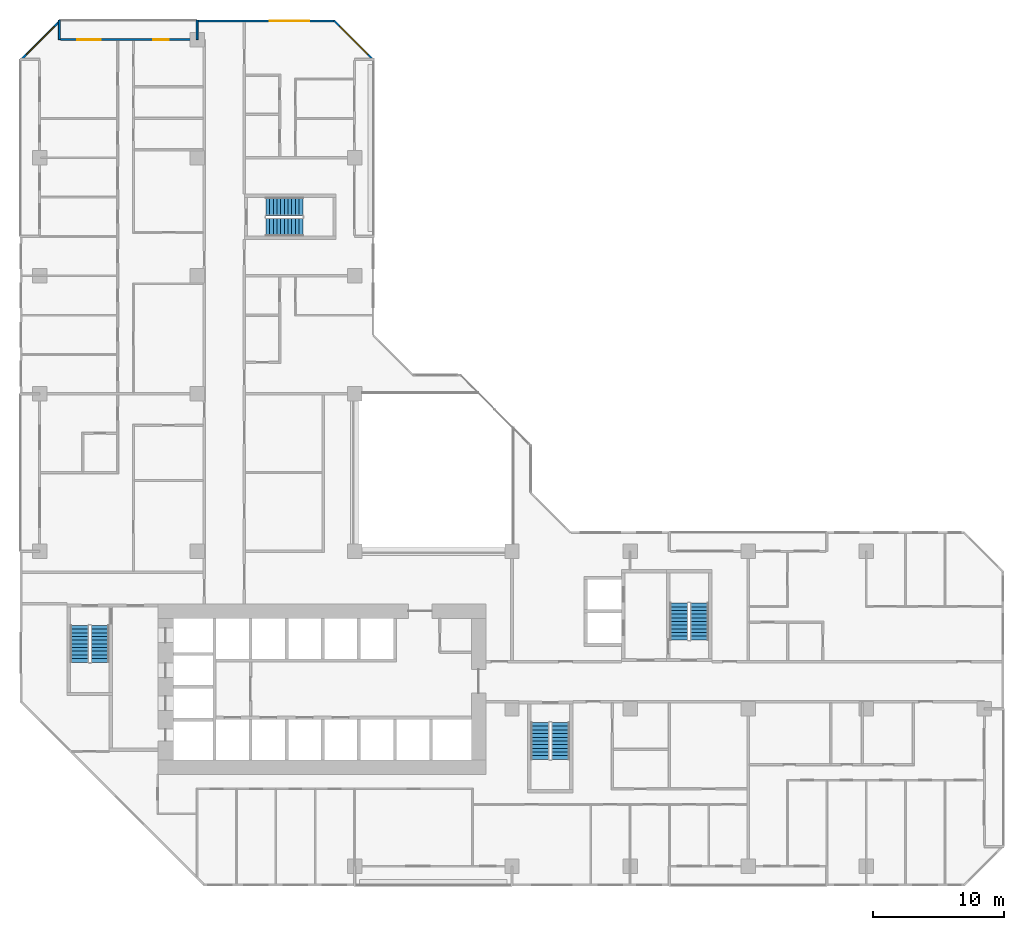
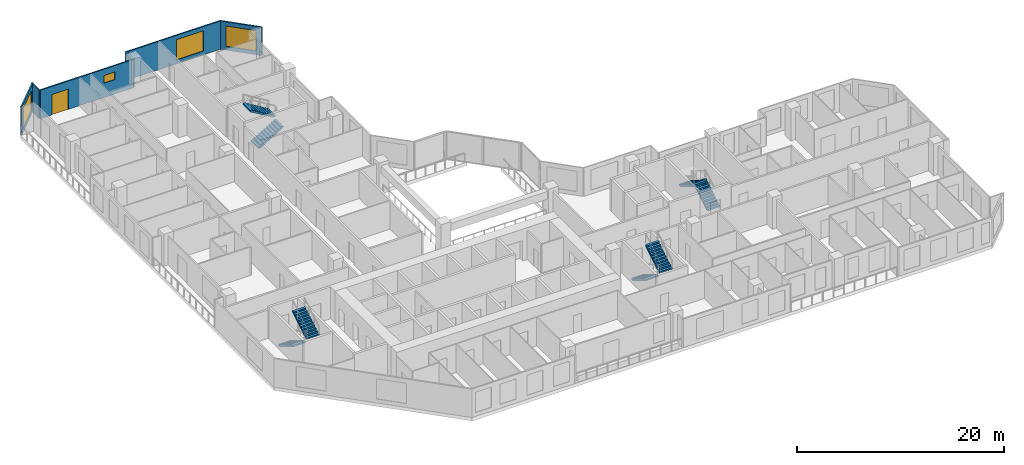
# One storey, part 13 of 15: 8 stair flights, 6 walls, 4 windows, 1 door, 5 openings, 4 elements without a shape of their own.
"""IFC4 building model written with IfcOpenShell, lengths in metres."""

from ifc_helpers import new_model, si_unit, direction, frame, frame_2d, origin, place, context, subcontext, project, spatial, polyline, rectangle, outline, extrude, material, layer, layer_set, type_object, element, fill, aggregate, save


model = new_model("IFC4")

# Units and contexts
model_context = context("Model", 3, precision=1e-05, world=origin(), true_north=direction((0.0, 1.0)))
body_context = subcontext(model_context, "Body", "Model", "MODEL_VIEW")
ifc_project = project(units=[si_unit("LENGTHUNIT", "METRE"), si_unit("AREAUNIT", "SQUARE_METRE"), si_unit("VOLUMEUNIT", "CUBIC_METRE"), si_unit("PLANEANGLEUNIT", "RADIAN"), si_unit("MASSUNIT", "GRAM", prefix="KILO")], contexts=[model_context])

# Site, building, storey
site_placement = place(None, origin())
site = spatial("IfcSite", under=ifc_project, at=site_placement, CompositionType="ELEMENT")
building_placement = place(site_placement, origin())
building = spatial("IfcBuilding", under=site, at=building_placement, Name="Chenar Terraces", CompositionType="ELEMENT")
storey_placement = place(building_placement, frame((0.0, 0.0, 67.64990234375)))
storey = spatial("IfcBuildingStorey", under=building, at=storey_placement, Name="L14", CompositionType="ELEMENT", Elevation=67.64990234375)

# Wall, opening, window
ifc_material_1 = material(Name="Aluminium framed glazing", Category="aluminium")
ifc_layer_1 = layer(ifc_material_1, 0.14990234375)
ifc_layer_set_1 = layer_set([ifc_layer_1], Name="Aluminium framed glazing")
wall_type_1 = type_object("IfcWallType", Name="Glazed flush facade wall 150", PredefinedType="SOLIDWALL", material=ifc_layer_set_1)
wall_1_placement = place(storey_placement, frame((22.5, 64.425048828125, 0.0), z_axis=(0.0, 0.0, 1.0), x_axis=(-1.0, 0.0, 0.0)))
wall_1 = element("IfcWall", 1, at=wall_1_placement, inside=storey, type_object=wall_type_1, Name="Glazed flush facade wall", PredefinedType="SOLIDWALL", context=body_context, shape_type="SweptSolid", body=[
    extrude(rectangle(XDim=10.425048828125, YDim=0.14990234375, at=frame_2d((5.21240234375, 0.0))), origin(), (0.0, 0.0, 1.0), 3.35009765625),
])
opening_1_placement = place(wall_1_placement, frame((1.949951171875, 0.0, 0.449951171875)))
opening_1 = element("IfcOpeningElement", 2, at=opening_1_placement, cuts=wall_1, Name="Opening W300x240", PredefinedType="OPENING", context=body_context, shape_type="SweptSolid", body=[
    extrude(rectangle(XDim=3.0, YDim=2.39990234375, at=frame_2d((1.5, 1.199951171875))), frame((0.0, 0.0849609375, 0.0), z_axis=(0.0, -1.0, 0.0), x_axis=(1.0, 0.0, 0.0)), (0.0, 0.0, 1.0), 0.169921875),
])
ifc_material_2 = material(Name="Low emissivity double glazing, aluminium frame", Category="aluminium")
window_type_1 = type_object("IfcWindowType", Name="Fixed light 3000 x 2400", PartitioningType="SINGLE_PANEL", PredefinedType="WINDOW", material=ifc_material_2)
window_1_placement = place(opening_1_placement, origin())
window_1 = element("IfcWindow", 3, at=window_1_placement, inside=storey, type_object=window_type_1, Name="Window", OverallHeight=2.39990234375, OverallWidth=3.0, PartitioningType="SINGLE_PANEL", PredefinedType="WINDOW", context=body_context, shape_type="SweptSolid", body=[
    extrude(rectangle(XDim=3.0, YDim=2.39990234375, at=frame_2d((1.5, 1.199951171875))), frame((0.0, 0.030029296875, 0.0), z_axis=(0.0, -1.0, 0.0), x_axis=(1.0, 0.0, 0.0)), (0.0, 0.0, 1.0), 0.06005859375),
])
fill(opening_1, window_1)

# Wall, openings, window, door
ifc_material_3 = material(Name="Aluminium framed glazing", Category="aluminium")
ifc_layer_2 = layer(ifc_material_3, 0.14990234375)
ifc_layer_set_2 = layer_set([ifc_layer_2], Name="Aluminium framed glazing")
wall_type_2 = type_object("IfcWallType", Name="Glazed loggia back wall 150", PredefinedType="SOLIDWALL", material=ifc_layer_set_2)
wall_2_placement = place(storey_placement, frame((11.925048828125, 63.0, 0.0), z_axis=(0.0, 0.0, 1.0), x_axis=(-1.0, 0.0, 0.0)))
wall_2 = element("IfcWall", 4, at=wall_2_placement, inside=storey, type_object=wall_type_2, Name="Glazed loggia back wall", PredefinedType="SOLIDWALL", context=body_context, shape_type="SweptSolid", body=[
    extrude(rectangle(XDim=10.35009765625, YDim=0.14990234375, at=frame_2d((5.175048828125, 0.0))), origin(), (0.0, 0.0, 1.0), 3.35009765625),
])
opening_2_placement = place(wall_2_placement, frame((2.074951171875, 0.0, 1.699951171875)))
opening_2 = element("IfcOpeningElement", 5, at=opening_2_placement, cuts=wall_2, Name="Opening W120x90", PredefinedType="OPENING", context=body_context, shape_type="SweptSolid", body=[
    extrude(rectangle(XDim=1.199951171875, YDim=0.89990234375, at=frame_2d((0.60009765625, 0.449951171875))), frame((0.0, 0.0849609375, 0.0), z_axis=(0.0, -1.0, 0.0), x_axis=(1.0, 0.0, 0.0)), (0.0, 0.0, 1.0), 0.169921875),
])
opening_3_placement = place(wall_2_placement, frame((7.262451171875, 0.0, 0.0)))
opening_3 = element("IfcOpeningElement", 6, at=opening_3_placement, cuts=wall_2, Name="Opening DL14-G2", PredefinedType="OPENING", context=body_context, shape_type="SweptSolid", body=[
    extrude(rectangle(XDim=1.800048828125, YDim=2.39990234375, at=frame_2d((0.89990234375, 1.199951171875))), frame((0.0, 0.0849609375, 0.0), z_axis=(0.0, -1.0, 0.0), x_axis=(1.0, 0.0, 0.0)), (0.0, 0.0, 1.0), 0.169921875),
])
ifc_material_4 = material(Name="Low emissivity double glazing, aluminium frame", Category="aluminium")
window_type_2 = type_object("IfcWindowType", Name="Fixed light 1200 x 900", PartitioningType="SINGLE_PANEL", PredefinedType="WINDOW", material=ifc_material_4)
window_2_placement = place(opening_2_placement, origin())
window_2 = element("IfcWindow", 7, at=window_2_placement, inside=storey, type_object=window_type_2, Name="Window", OverallHeight=0.89990234375, OverallWidth=1.199951171875, PartitioningType="SINGLE_PANEL", PredefinedType="WINDOW", context=body_context, shape_type="SweptSolid", body=[
    extrude(rectangle(XDim=1.199951171875, YDim=0.89990234375, at=frame_2d((0.60009765625, 0.449951171875))), frame((0.0, 0.030029296875, 0.0), z_axis=(0.0, -1.0, 0.0), x_axis=(1.0, 0.0, 0.0)), (0.0, 0.0, 1.0), 0.06005859375),
])
fill(opening_2, window_2)
ifc_material_5 = material(Name="Low emissivity double glazing, aluminium frame", Category="aluminium")
door_type = type_object("IfcDoorType", Name="Loggia glazed double door 1800 x 2400", OperationType="DOUBLE_DOOR_SINGLE_SWING", PredefinedType="DOOR", material=ifc_material_5)
door_placement = place(opening_3_placement, frame((1.800048828125, 0.0, 0.0), z_axis=(0.0, 0.0, 1.0), x_axis=(-1.0, 0.0, 0.0)))
door = element("IfcDoor", 8, at=door_placement, inside=storey, type_object=door_type, Name="Loggia glazed door", OperationType="DOUBLE_DOOR_SINGLE_SWING", OverallHeight=2.39990234375, OverallWidth=1.800048828125, PredefinedType="DOOR", context=body_context, shape_type="SweptSolid", body=[
    extrude(rectangle(XDim=1.800048828125, YDim=2.39990234375, at=frame_2d((0.89990234375, 1.199951171875))), frame((0.0, 0.02490234375, 0.0), z_axis=(0.0, -1.0, 0.0), x_axis=(1.0, 0.0, 0.0)), (0.0, 0.0, 1.0), 0.050048828125),
])
fill(opening_3, door)

# Walls
ifc_material_6 = material(Name="Terracotta cladding on insulated backing", Category="masonry")
ifc_layer_3 = layer(ifc_material_6, 0.14990234375)
ifc_layer_set_3 = layer_set([ifc_layer_3], Name="Terracotta cladding on insulated backing")
wall_type_3 = type_object("IfcWallType", Name="Loggia return wall 150", PredefinedType="SOLIDWALL", material=ifc_layer_set_3)
for number, where, z_axis, x_axis, name in (
    (9, (12.0, 64.5, 0.0), (0.0, 0.0, 1.0), (0.0, -1.0, 0.0), "Loggia return wall"),
    (10, (1.5, 64.5, 0.0), (0.0, 0.0, 1.0), (0.0, -1.0, 0.0), "Loggia return wall"),
):
    element("IfcWall", number, at=place(storey_placement, frame(where, z_axis=z_axis, x_axis=x_axis)), inside=storey, type_object=wall_type_3, Name=name, PredefinedType="SOLIDWALL", context=body_context, shape_type="SweptSolid", body=[
        extrude(rectangle(XDim=1.5, YDim=0.14990234375, at=frame_2d((0.75, 0.0))), origin(), (0.0, 0.0, 1.0), 3.35009765625),
    ])

# Wall, opening, window
ifc_material_7 = material(Name="Terracotta cladding on insulated backing", Category="masonry")
ifc_layer_4 = layer(ifc_material_7, 0.14990234375)
ifc_layer_set_4 = layer_set([ifc_layer_4], Name="Terracotta cladding on insulated backing")
wall_type_4 = type_object("IfcWallType", Name="Terracotta rainscreen wall 150", PredefinedType="SOLIDWALL", material=ifc_layer_set_4)
wall_3_placement = place(storey_placement, frame((25.447021484375, 61.447021484375, 0.0), z_axis=(0.0, 0.0, 1.0), x_axis=(-0.707106781187, 0.707106781187, 0.0)))
wall_3 = element("IfcWall", 11, at=wall_3_placement, inside=storey, type_object=wall_type_4, Name="Terracotta rainscreen wall", PredefinedType="SOLIDWALL", context=body_context, shape_type="SweptSolid", body=[
    extrude(rectangle(XDim=4.24267578125, YDim=0.14990234375, at=frame_2d((2.121337890625, 0.0))), origin(), (0.0, 0.0, 1.0), 3.35009765625),
])
opening_4_placement = place(wall_3_placement, frame((0.621337890625, 0.0, 0.449951171875)))
opening_4 = element("IfcOpeningElement", 12, at=opening_4_placement, cuts=wall_3, Name="Opening W300x240", PredefinedType="OPENING", context=body_context, shape_type="SweptSolid", body=[
    extrude(rectangle(XDim=3.0, YDim=2.39990234375, at=frame_2d((1.5, 1.199951171875))), frame((0.0, 0.0849609375, 0.0), z_axis=(0.0, -1.0, 0.0), x_axis=(1.0, 0.0, 0.0)), (0.0, 0.0, 1.0), 0.169921875),
])
window_3_placement = place(opening_4_placement, origin())
window_3 = element("IfcWindow", 13, at=window_3_placement, inside=storey, type_object=window_type_1, Name="Window", OverallHeight=2.39990234375, OverallWidth=3.0, PartitioningType="SINGLE_PANEL", PredefinedType="WINDOW", context=body_context, shape_type="SweptSolid", body=[
    extrude(rectangle(XDim=3.0, YDim=2.39990234375, at=frame_2d((1.5, 1.199951171875))), frame((0.0, 0.030029296875, 0.0), z_axis=(0.0, -1.0, 0.0), x_axis=(1.0, 0.0, 0.0)), (0.0, 0.0, 1.0), 0.06005859375),
])
fill(opening_4, window_3)

wall_4_placement = place(storey_placement, frame((1.552978515625, 64.447021484375, 0.0), z_axis=(0.0, 0.0, 1.0), x_axis=(-0.707106781187, -0.707106781187, 0.0)))
wall_4 = element("IfcWall", 14, at=wall_4_placement, inside=storey, type_object=wall_type_4, Name="Terracotta rainscreen wall", PredefinedType="SOLIDWALL", context=body_context, shape_type="SweptSolid", body=[
    extrude(rectangle(XDim=4.24267578125, YDim=0.14990234375, at=frame_2d((2.121337890625, 0.0))), origin(), (0.0, 0.0, 1.0), 3.35009765625),
])
opening_5_placement = place(wall_4_placement, frame((0.621337890625, 0.0, 0.449951171875)))
opening_5 = element("IfcOpeningElement", 15, at=opening_5_placement, cuts=wall_4, Name="Opening W300x240", PredefinedType="OPENING", context=body_context, shape_type="SweptSolid", body=[
    extrude(rectangle(XDim=3.0, YDim=2.39990234375, at=frame_2d((1.5, 1.199951171875))), frame((0.0, 0.0849609375, 0.0), z_axis=(0.0, -1.0, 0.0), x_axis=(1.0, 0.0, 0.0)), (0.0, 0.0, 1.0), 0.169921875),
])
window_4_placement = place(opening_5_placement, origin())
window_4 = element("IfcWindow", 16, at=window_4_placement, inside=storey, type_object=window_type_1, Name="Window", OverallHeight=2.39990234375, OverallWidth=3.0, PartitioningType="SINGLE_PANEL", PredefinedType="WINDOW", context=body_context, shape_type="SweptSolid", body=[
    extrude(rectangle(XDim=3.0, YDim=2.39990234375, at=frame_2d((1.5, 1.199951171875))), frame((0.0, 0.030029296875, 0.0), z_axis=(0.0, -1.0, 0.0), x_axis=(1.0, 0.0, 0.0)), (0.0, 0.0, 1.0), 0.06005859375),
])
fill(opening_5, window_4)

# Stair, stair flights
ifc_material_8 = material(Name="Reinforced concrete C40/50", Category="concrete")
stair_type = type_object("IfcStairType", Name="Core stair 1400 half-turn", PredefinedType="HALF_TURN_STAIR", material=ifc_material_8)
placement = place(storey_placement, origin())
stair_1 = element("IfcStair", 17, at=placement, inside=storey, type_object=stair_type, Name="L14 Stair 1", PredefinedType="HALF_TURN_STAIR")
ifc_material_9 = material(Name="Reinforced concrete C40/50", Category="concrete")
stair_flight_type = type_object("IfcStairFlightType", Name="Core stair flight 1400", PredefinedType="STRAIGHT", material=ifc_material_9)
stair_flight_1_placement = place(storey_placement, frame((3.050048828125, 18.35009765625, 0.0), z_axis=(0.0, 0.0, 1.0), x_axis=(0.0, -1.0, 0.0)))
stair_flight_1 = element("IfcStairFlight", 18, at=stair_flight_1_placement, type_object=stair_flight_type, Name="ST1 flight 1", NumberOfRisers=11, NumberOfTreads=10, PredefinedType="STRAIGHT", RiserHeight=0.170454545, TreadLength=0.28, context=body_context, shape_type="SweptSolid", body=[
    extrude(outline(polyline([(-0.0029296875, 0.0), (-0.0029296875, 0.17041015625), (0.0, 0.17041015625), (0.280029296875, 0.17041015625), (0.280029296875, 0.3408203125), (0.56005859375, 0.3408203125), (0.56005859375, 0.511474609375), (0.840087890625, 0.511474609375), (0.840087890625, 0.681884765625), (1.1201171875, 0.681884765625), (1.1201171875, 0.852294921875), (1.39990234375, 0.852294921875), (1.39990234375, 1.022705078125), (1.679931640625, 1.022705078125), (1.679931640625, 1.193115234375), (1.9599609375, 1.193115234375), (1.9599609375, 1.363525390625), (2.239990234375, 1.363525390625), (2.239990234375, 1.5341796875), (2.52001953125, 1.5341796875), (2.52001953125, 1.70458984375), (2.800048828125, 1.70458984375), (2.802978515625, 1.70458984375), (2.802978515625, 1.529052734375), (2.800048828125, 1.529052734375), (0.288330078125, 0.0), (-0.0029296875, 0.0)])), frame((0.0, 0.699951171875, 0.0), z_axis=(0.0, -1.0, 0.0), x_axis=(1.0, 0.0, 0.0)), (0.0, 0.0, 1.0), 1.39990234375),
])
stair_flight_2_placement = place(storey_placement, frame((4.60009765625, 15.550048828125, 1.875), z_axis=(0.0, 0.0, 1.0), x_axis=(0.0, 1.0, 0.0)))
stair_flight_2 = element("IfcStairFlight", 19, at=stair_flight_2_placement, type_object=stair_flight_type, Name="ST1 flight 2", NumberOfRisers=11, NumberOfTreads=10, PredefinedType="STRAIGHT", RiserHeight=0.170454545, TreadLength=0.28, context=body_context, shape_type="SweptSolid", body=[
    extrude(outline(polyline([(-0.0029296875, 0.0), (-0.0029296875, 0.17041015625), (0.0, 0.17041015625), (0.280029296875, 0.17041015625), (0.280029296875, 0.3408203125), (0.56005859375, 0.3408203125), (0.56005859375, 0.511474609375), (0.840087890625, 0.511474609375), (0.840087890625, 0.681884765625), (1.1201171875, 0.681884765625), (1.1201171875, 0.852294921875), (1.39990234375, 0.852294921875), (1.39990234375, 1.022705078125), (1.679931640625, 1.022705078125), (1.679931640625, 1.193115234375), (1.9599609375, 1.193115234375), (1.9599609375, 1.363525390625), (2.239990234375, 1.363525390625), (2.239990234375, 1.5341796875), (2.52001953125, 1.5341796875), (2.52001953125, 1.70458984375), (2.800048828125, 1.70458984375), (2.802978515625, 1.70458984375), (2.802978515625, 1.529052734375), (2.800048828125, 1.529052734375), (0.288330078125, 0.0), (-0.0029296875, 0.0)])), frame((0.0, 0.699951171875, 0.0), z_axis=(0.0, -1.0, 0.0), x_axis=(1.0, 0.0, 0.0)), (0.0, 0.0, 1.0), 1.39990234375),
])
aggregate(stair_1, [stair_flight_1, stair_flight_2])

stair_2 = element("IfcStair", 20, at=placement, inside=storey, type_object=stair_type, Name="L14 Stair 2", PredefinedType="HALF_TURN_STAIR")
stair_flight_3_placement = place(storey_placement, frame((38.14990234375, 10.949951171875, 0.0), z_axis=(0.0, 0.0, 1.0), x_axis=(0.0, -1.0, 0.0)))
stair_flight_3 = element("IfcStairFlight", 21, at=stair_flight_3_placement, type_object=stair_flight_type, Name="ST2 flight 1", NumberOfRisers=11, NumberOfTreads=10, PredefinedType="STRAIGHT", RiserHeight=0.170454545, TreadLength=0.28, context=body_context, shape_type="SweptSolid", body=[
    extrude(outline(polyline([(-0.0029296875, 0.0), (-0.0029296875, 0.17041015625), (0.0, 0.17041015625), (0.280029296875, 0.17041015625), (0.280029296875, 0.3408203125), (0.56005859375, 0.3408203125), (0.56005859375, 0.511474609375), (0.840087890625, 0.511474609375), (0.840087890625, 0.681884765625), (1.1201171875, 0.681884765625), (1.1201171875, 0.852294921875), (1.39990234375, 0.852294921875), (1.39990234375, 1.022705078125), (1.679931640625, 1.022705078125), (1.679931640625, 1.193115234375), (1.9599609375, 1.193115234375), (1.9599609375, 1.363525390625), (2.239990234375, 1.363525390625), (2.239990234375, 1.5341796875), (2.52001953125, 1.5341796875), (2.52001953125, 1.70458984375), (2.800048828125, 1.70458984375), (2.802978515625, 1.70458984375), (2.802978515625, 1.529052734375), (2.800048828125, 1.529052734375), (0.288330078125, 0.0), (-0.0029296875, 0.0)])), frame((0.0, 0.699951171875, 0.0), z_axis=(0.0, -1.0, 0.0), x_axis=(1.0, 0.0, 0.0)), (0.0, 0.0, 1.0), 1.39990234375),
])
stair_flight_4_placement = place(storey_placement, frame((39.699951171875, 8.14990234375, 1.875), z_axis=(0.0, 0.0, 1.0), x_axis=(0.0, 1.0, 0.0)))
stair_flight_4 = element("IfcStairFlight", 22, at=stair_flight_4_placement, type_object=stair_flight_type, Name="ST2 flight 2", NumberOfRisers=11, NumberOfTreads=10, PredefinedType="STRAIGHT", RiserHeight=0.170454545, TreadLength=0.28, context=body_context, shape_type="SweptSolid", body=[
    extrude(outline(polyline([(-0.0029296875, 0.0), (-0.0029296875, 0.17041015625), (0.0, 0.17041015625), (0.280029296875, 0.17041015625), (0.280029296875, 0.3408203125), (0.56005859375, 0.3408203125), (0.56005859375, 0.511474609375), (0.840087890625, 0.511474609375), (0.840087890625, 0.681884765625), (1.1201171875, 0.681884765625), (1.1201171875, 0.852294921875), (1.39990234375, 0.852294921875), (1.39990234375, 1.022705078125), (1.679931640625, 1.022705078125), (1.679931640625, 1.193115234375), (1.9599609375, 1.193115234375), (1.9599609375, 1.363525390625), (2.239990234375, 1.363525390625), (2.239990234375, 1.5341796875), (2.52001953125, 1.5341796875), (2.52001953125, 1.70458984375), (2.800048828125, 1.70458984375), (2.802978515625, 1.70458984375), (2.802978515625, 1.529052734375), (2.800048828125, 1.529052734375), (0.288330078125, 0.0), (-0.0029296875, 0.0)])), frame((0.0, 0.699951171875, 0.0), z_axis=(0.0, -1.0, 0.0), x_axis=(1.0, 0.0, 0.0)), (0.0, 0.0, 1.0), 1.39990234375),
])
aggregate(stair_2, [stair_flight_3, stair_flight_4])

stair_3 = element("IfcStair", 23, at=placement, inside=storey, type_object=stair_type, Name="L14 Stair 3", PredefinedType="HALF_TURN_STAIR")
stair_flight_5_placement = place(storey_placement, frame((50.27490234375, 17.25, 0.0), z_axis=(0.0, 0.0, 1.0), x_axis=(0.0, 1.0, 0.0)))
stair_flight_5 = element("IfcStairFlight", 24, at=stair_flight_5_placement, type_object=stair_flight_type, Name="ST3 flight 1", NumberOfRisers=11, NumberOfTreads=10, PredefinedType="STRAIGHT", RiserHeight=0.170454545, TreadLength=0.28, context=body_context, shape_type="SweptSolid", body=[
    extrude(outline(polyline([(-0.0029296875, 0.0), (-0.0029296875, 0.17041015625), (0.0, 0.17041015625), (0.280029296875, 0.17041015625), (0.280029296875, 0.3408203125), (0.56005859375, 0.3408203125), (0.56005859375, 0.511474609375), (0.840087890625, 0.511474609375), (0.840087890625, 0.681884765625), (1.1201171875, 0.681884765625), (1.1201171875, 0.852294921875), (1.39990234375, 0.852294921875), (1.39990234375, 1.022705078125), (1.679931640625, 1.022705078125), (1.679931640625, 1.193115234375), (1.9599609375, 1.193115234375), (1.9599609375, 1.363525390625), (2.239990234375, 1.363525390625), (2.239990234375, 1.5341796875), (2.52001953125, 1.5341796875), (2.52001953125, 1.70458984375), (2.800048828125, 1.70458984375), (2.802978515625, 1.70458984375), (2.802978515625, 1.529052734375), (2.800048828125, 1.529052734375), (0.288330078125, 0.0), (-0.0029296875, 0.0)])), frame((0.0, 0.699951171875, 0.0), z_axis=(0.0, -1.0, 0.0), x_axis=(1.0, 0.0, 0.0)), (0.0, 0.0, 1.0), 1.39990234375),
])
stair_flight_6_placement = place(storey_placement, frame((48.72509765625, 20.050048828125, 1.875), z_axis=(0.0, 0.0, 1.0), x_axis=(0.0, -1.0, 0.0)))
stair_flight_6 = element("IfcStairFlight", 25, at=stair_flight_6_placement, type_object=stair_flight_type, Name="ST3 flight 2", NumberOfRisers=11, NumberOfTreads=10, PredefinedType="STRAIGHT", RiserHeight=0.170454545, TreadLength=0.28, context=body_context, shape_type="SweptSolid", body=[
    extrude(outline(polyline([(-0.0029296875, 0.0), (-0.0029296875, 0.17041015625), (0.0, 0.17041015625), (0.280029296875, 0.17041015625), (0.280029296875, 0.3408203125), (0.56005859375, 0.3408203125), (0.56005859375, 0.511474609375), (0.840087890625, 0.511474609375), (0.840087890625, 0.681884765625), (1.1201171875, 0.681884765625), (1.1201171875, 0.852294921875), (1.39990234375, 0.852294921875), (1.39990234375, 1.022705078125), (1.679931640625, 1.022705078125), (1.679931640625, 1.193115234375), (1.9599609375, 1.193115234375), (1.9599609375, 1.363525390625), (2.239990234375, 1.363525390625), (2.239990234375, 1.5341796875), (2.52001953125, 1.5341796875), (2.52001953125, 1.70458984375), (2.800048828125, 1.70458984375), (2.802978515625, 1.70458984375), (2.802978515625, 1.529052734375), (2.800048828125, 1.529052734375), (0.288330078125, 0.0), (-0.0029296875, 0.0)])), frame((0.0, 0.699951171875, 0.0), z_axis=(0.0, -1.0, 0.0), x_axis=(1.0, 0.0, 0.0)), (0.0, 0.0, 1.0), 1.39990234375),
])
aggregate(stair_3, [stair_flight_5, stair_flight_6])

stair_4 = element("IfcStair", 26, at=placement, inside=storey, type_object=stair_type, Name="L14 Stair 4", PredefinedType="HALF_TURN_STAIR")
stair_flight_7_placement = place(storey_placement, frame((17.25, 48.72509765625, 0.0), z_axis=(0.0, 0.0, 1.0), x_axis=(1.0, 0.0, 0.0)))
stair_flight_7 = element("IfcStairFlight", 27, at=stair_flight_7_placement, type_object=stair_flight_type, Name="ST4 flight 1", NumberOfRisers=11, NumberOfTreads=10, PredefinedType="STRAIGHT", RiserHeight=0.170454545, TreadLength=0.28, context=body_context, shape_type="SweptSolid", body=[
    extrude(outline(polyline([(-0.0029296875, 0.0), (-0.0029296875, 0.17041015625), (0.0, 0.17041015625), (0.280029296875, 0.17041015625), (0.280029296875, 0.3408203125), (0.56005859375, 0.3408203125), (0.56005859375, 0.511474609375), (0.840087890625, 0.511474609375), (0.840087890625, 0.681884765625), (1.1201171875, 0.681884765625), (1.1201171875, 0.852294921875), (1.39990234375, 0.852294921875), (1.39990234375, 1.022705078125), (1.679931640625, 1.022705078125), (1.679931640625, 1.193115234375), (1.9599609375, 1.193115234375), (1.9599609375, 1.363525390625), (2.239990234375, 1.363525390625), (2.239990234375, 1.5341796875), (2.52001953125, 1.5341796875), (2.52001953125, 1.70458984375), (2.800048828125, 1.70458984375), (2.802978515625, 1.70458984375), (2.802978515625, 1.529052734375), (2.800048828125, 1.529052734375), (0.288330078125, 0.0), (-0.0029296875, 0.0)])), frame((0.0, 0.699951171875, 0.0), z_axis=(0.0, -1.0, 0.0), x_axis=(1.0, 0.0, 0.0)), (0.0, 0.0, 1.0), 1.39990234375),
])
stair_flight_8_placement = place(storey_placement, frame((20.050048828125, 50.27490234375, 1.875), z_axis=(0.0, 0.0, 1.0), x_axis=(-1.0, 0.0, 0.0)))
stair_flight_8 = element("IfcStairFlight", 28, at=stair_flight_8_placement, type_object=stair_flight_type, Name="ST4 flight 2", NumberOfRisers=11, NumberOfTreads=10, PredefinedType="STRAIGHT", RiserHeight=0.170454545, TreadLength=0.28, context=body_context, shape_type="SweptSolid", body=[
    extrude(outline(polyline([(-0.0029296875, 0.0), (-0.0029296875, 0.17041015625), (0.0, 0.17041015625), (0.280029296875, 0.17041015625), (0.280029296875, 0.3408203125), (0.56005859375, 0.3408203125), (0.56005859375, 0.511474609375), (0.840087890625, 0.511474609375), (0.840087890625, 0.681884765625), (1.1201171875, 0.681884765625), (1.1201171875, 0.852294921875), (1.39990234375, 0.852294921875), (1.39990234375, 1.022705078125), (1.679931640625, 1.022705078125), (1.679931640625, 1.193115234375), (1.9599609375, 1.193115234375), (1.9599609375, 1.363525390625), (2.239990234375, 1.363525390625), (2.239990234375, 1.5341796875), (2.52001953125, 1.5341796875), (2.52001953125, 1.70458984375), (2.800048828125, 1.70458984375), (2.802978515625, 1.70458984375), (2.802978515625, 1.529052734375), (2.800048828125, 1.529052734375), (0.288330078125, 0.0), (-0.0029296875, 0.0)])), frame((0.0, 0.699951171875, 0.0), z_axis=(0.0, -1.0, 0.0), x_axis=(1.0, 0.0, 0.0)), (0.0, 0.0, 1.0), 1.39990234375),
])
aggregate(stair_4, [stair_flight_7, stair_flight_8])

save(model, "model.ifc")
